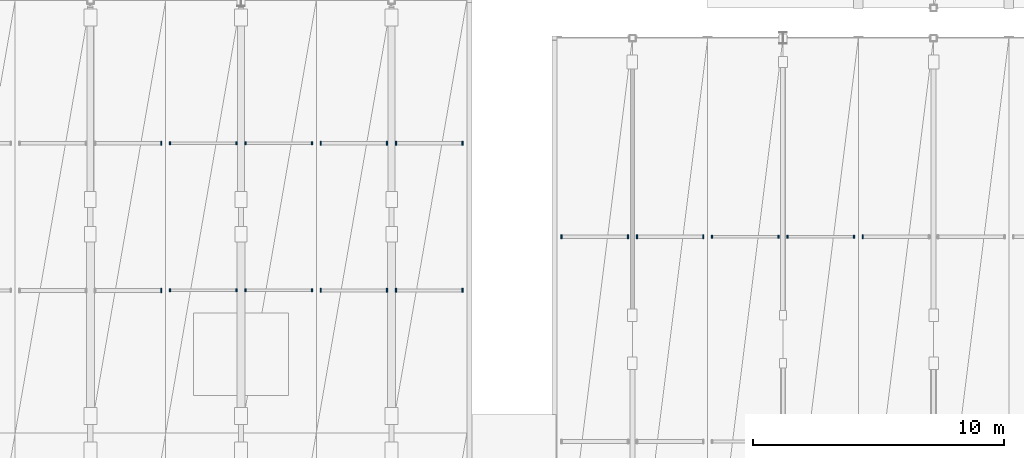
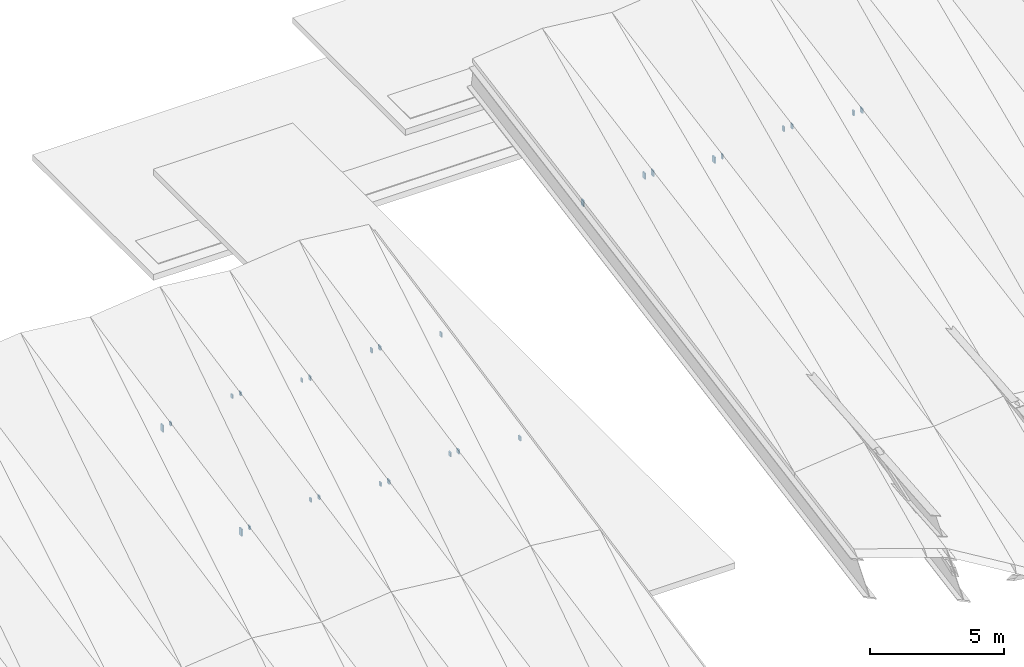
# One storey, part 46 of 52: 27 discrete accessories.
"""IFC4 building model written with IfcOpenShell, lengths in metres."""

from ifc_helpers import new_model, si_unit, direction, frame, origin, origin_2d, place, context, subcontext, project, spatial, rectangle, extrude, material, layer, layer_set, type_object, element, save


model = new_model("IFC4")

# Units and contexts
model_context = context("Model", 3, precision=1e-05, world=origin(), true_north=direction((0.0, 1.0)))
body_context = subcontext(model_context, "Body", "Model", "MODEL_VIEW")
ifc_project = project(units=[si_unit("LENGTHUNIT", "METRE"), si_unit("AREAUNIT", "SQUARE_METRE"), si_unit("VOLUMEUNIT", "CUBIC_METRE"), si_unit("PLANEANGLEUNIT", "RADIAN"), si_unit("MASSUNIT", "GRAM", prefix="KILO")], contexts=[model_context])

# Site, building, storey
site_placement = place(None, origin())
site = spatial("IfcSite", under=ifc_project, at=site_placement, CompositionType="ELEMENT")
building_placement = place(site_placement, origin())
building = spatial("IfcBuilding", under=site, at=building_placement, Name="Vaelkrest Opera House", CompositionType="ELEMENT")
storey_placement = place(building_placement, frame((0.0, 0.0, 41.39990234375)))
storey = spatial("IfcBuildingStorey", under=building, at=storey_placement, Name="ROOF", CompositionType="ELEMENT", Elevation=41.39990234375)

# Discrete accessories
ifc_material = material(Name="Steel A572 Gr50", Category="steel")
ifc_layer = layer(ifc_material, 0.320068359375)
ifc_layer_set = layer_set([ifc_layer], Name="Steel A572 Gr50")
discrete_accessory_type = type_object("IfcDiscreteAccessoryType", Name="ECP01", PredefinedType="USERDEFINED", material=ifc_layer_set)
for number, where, z_axis, x_axis, name in (
    (1, (-29.822509765625, 8.280029296875, -5.281982421875), (0.0, 0.0, 1.0), (1.0, 0.0, 0.0), "Purlin HSS end cap plate V1-01-S3-67-W0"),
    (2, (-27.177490234375, 8.280029296875, -4.9580078125), (0.0, 0.0, 1.0), (1.0, 0.0, 0.0), "Purlin HSS end cap plate V1-01-S3-67-W1"),
    (3, (-26.822509765625, 8.280029296875, -4.9580078125), (0.0, 0.0, 1.0), (1.0, 0.0, 0.0), "Purlin HSS end cap plate V1-01-S3-67-E0"),
    (4, (-24.177490234375, 8.280029296875, -5.281982421875), (0.0, 0.0, 1.0), (1.0, 0.0, 0.0), "Purlin HSS end cap plate V1-01-S3-67-E1"),
):
    element("IfcDiscreteAccessory", number, at=place(storey_placement, frame(where, z_axis=z_axis, x_axis=x_axis)), inside=storey, type_object=discrete_accessory_type, Name=name, ObjectType="CAP PLATE", PredefinedType="USERDEFINED", context=body_context, shape_type="SweptSolid", body=[
        extrude(rectangle(XDim=0.054931640625, YDim=0.176025390625, at=origin_2d()), origin(), (0.0, 0.0, 1.0), 0.27001953125),
    ])
for number, where, z_axis, x_axis, name in (
    (5, (-23.822509765625, 8.280029296875, -5.2314453125), (0.0, 0.0, 1.0), (1.0, 0.0, 0.0), "Purlin HSS end cap plate V1-02-S3-67-W0"),
    (6, (-21.177490234375, 8.280029296875, -4.9072265625), (0.0, 0.0, 1.0), (1.0, 0.0, 0.0), "Purlin HSS end cap plate V1-02-S3-67-W1"),
    (7, (-20.822509765625, 8.280029296875, -4.9072265625), (0.0, 0.0, 1.0), (1.0, 0.0, 0.0), "Purlin HSS end cap plate V1-02-S3-67-E0"),
    (8, (-18.177490234375, 8.280029296875, -5.2314453125), (0.0, 0.0, 1.0), (1.0, 0.0, 0.0), "Purlin HSS end cap plate V1-02-S3-67-E1"),
):
    element("IfcDiscreteAccessory", number, at=place(storey_placement, frame(where, z_axis=z_axis, x_axis=x_axis)), inside=storey, type_object=discrete_accessory_type, Name=name, ObjectType="CAP PLATE", PredefinedType="USERDEFINED", context=body_context, shape_type="SweptSolid", body=[
        extrude(rectangle(XDim=0.054931640625, YDim=0.1259765625, at=origin_2d()), origin(), (0.0, 0.0, 1.0), 0.218994140625),
    ])
discrete_accessory_placement = place(storey_placement, frame((-17.822509765625, 8.280029296875, -5.2314453125), z_axis=(0.0, 0.0, 1.0), x_axis=(1.0, 0.0, 0.0)))
element("IfcDiscreteAccessory", 9, at=discrete_accessory_placement, inside=storey, type_object=discrete_accessory_type, Name="Purlin HSS end cap plate V1-03-S3-67-W0", ObjectType="CAP PLATE", PredefinedType="USERDEFINED", context=body_context, shape_type="SweptSolid", body=[
    extrude(rectangle(XDim=0.054931640625, YDim=0.176025390625, at=origin_2d()), origin(), (0.0, 0.0, 1.0), 0.218994140625),
])
for number, where, z_axis, x_axis, name in (
    (10, (-45.777587890625, 6.14306640625, -13.400390625), (0.0, 0.0, 1.0), (1.0, 0.0, 0.0), "Purlin HSS end cap plate V3-05-S2-33-E1"),
    (11, (-45.777587890625, 12.008056640625, -12.2314453125), (0.0, 0.0, 1.0), (1.0, 0.0, 0.0), "Purlin HSS end cap plate V3-05-S2-67-E1"),
):
    element("IfcDiscreteAccessory", number, at=place(storey_placement, frame(where, z_axis=z_axis, x_axis=x_axis)), inside=storey, type_object=discrete_accessory_type, Name=name, ObjectType="CAP PLATE", PredefinedType="USERDEFINED", context=body_context, shape_type="SweptSolid", body=[
        extrude(rectangle(XDim=0.054931640625, YDim=0.176025390625, at=origin_2d()), origin(), (0.0, 0.0, 1.0), 0.321044921875),
    ])
for number, where, z_axis, x_axis, name in (
    (12, (-45.422607421875, 6.14306640625, -13.246826171875), (0.0, 0.0, 1.0), (1.0, 0.0, 0.0), "Purlin HSS end cap plate V3-06-S2-33-W0"),
    (13, (-42.777587890625, 6.14306640625, -12.9228515625), (0.0, 0.0, 1.0), (1.0, 0.0, 0.0), "Purlin HSS end cap plate V3-06-S2-33-W1"),
    (14, (-42.422607421875, 6.14306640625, -12.9228515625), (0.0, 0.0, 1.0), (1.0, 0.0, 0.0), "Purlin HSS end cap plate V3-06-S2-33-E0"),
    (15, (-39.777587890625, 6.14306640625, -13.246826171875), (0.0, 0.0, 1.0), (1.0, 0.0, 0.0), "Purlin HSS end cap plate V3-06-S2-33-E1"),
    (16, (-45.422607421875, 12.008056640625, -12.077880859375), (0.0, 0.0, 1.0), (1.0, 0.0, 0.0), "Purlin HSS end cap plate V3-06-S2-67-W0"),
    (17, (-42.777587890625, 12.008056640625, -11.75390625), (0.0, 0.0, 1.0), (1.0, 0.0, 0.0), "Purlin HSS end cap plate V3-06-S2-67-W1"),
    (18, (-42.422607421875, 12.008056640625, -11.75390625), (0.0, 0.0, 1.0), (1.0, 0.0, 0.0), "Purlin HSS end cap plate V3-06-S2-67-E0"),
    (19, (-39.777587890625, 12.008056640625, -12.077880859375), (0.0, 0.0, 1.0), (1.0, 0.0, 0.0), "Purlin HSS end cap plate V3-06-S2-67-E1"),
):
    element("IfcDiscreteAccessory", number, at=place(storey_placement, frame(where, z_axis=z_axis, x_axis=x_axis)), inside=storey, type_object=discrete_accessory_type, Name=name, ObjectType="CAP PLATE", PredefinedType="USERDEFINED", context=body_context, shape_type="SweptSolid", body=[
        extrude(rectangle(XDim=0.054931640625, YDim=0.1259765625, at=origin_2d()), origin(), (0.0, 0.0, 1.0), 0.16796875),
    ])
for number, where, z_axis, x_axis, name in (
    (20, (-39.422607421875, 6.14306640625, -13.27294921875), (0.0, 0.0, 1.0), (1.0, 0.0, 0.0), "Purlin HSS end cap plate V3-07-S2-33-W0"),
    (21, (-36.777587890625, 6.14306640625, -12.94873046875), (0.0, 0.0, 1.0), (1.0, 0.0, 0.0), "Purlin HSS end cap plate V3-07-S2-33-W1"),
    (22, (-36.422607421875, 6.14306640625, -12.94873046875), (0.0, 0.0, 1.0), (1.0, 0.0, 0.0), "Purlin HSS end cap plate V3-07-S2-33-E0"),
    (23, (-33.777587890625, 6.14306640625, -13.27294921875), (0.0, 0.0, 1.0), (1.0, 0.0, 0.0), "Purlin HSS end cap plate V3-07-S2-33-E1"),
    (24, (-39.422607421875, 12.008056640625, -12.10400390625), (0.0, 0.0, 1.0), (1.0, 0.0, 0.0), "Purlin HSS end cap plate V3-07-S2-67-W0"),
    (25, (-36.777587890625, 12.008056640625, -11.77978515625), (0.0, 0.0, 1.0), (1.0, 0.0, 0.0), "Purlin HSS end cap plate V3-07-S2-67-W1"),
    (26, (-36.422607421875, 12.008056640625, -11.77978515625), (0.0, 0.0, 1.0), (1.0, 0.0, 0.0), "Purlin HSS end cap plate V3-07-S2-67-E0"),
    (27, (-33.777587890625, 12.008056640625, -12.10400390625), (0.0, 0.0, 1.0), (1.0, 0.0, 0.0), "Purlin HSS end cap plate V3-07-S2-67-E1"),
):
    element("IfcDiscreteAccessory", number, at=place(storey_placement, frame(where, z_axis=z_axis, x_axis=x_axis)), inside=storey, type_object=discrete_accessory_type, Name=name, ObjectType="CAP PLATE", PredefinedType="USERDEFINED", context=body_context, shape_type="SweptSolid", body=[
        extrude(rectangle(XDim=0.054931640625, YDim=0.15087890625, at=origin_2d()), origin(), (0.0, 0.0, 1.0), 0.194091796875),
    ])

save(model, "model.ifc")
